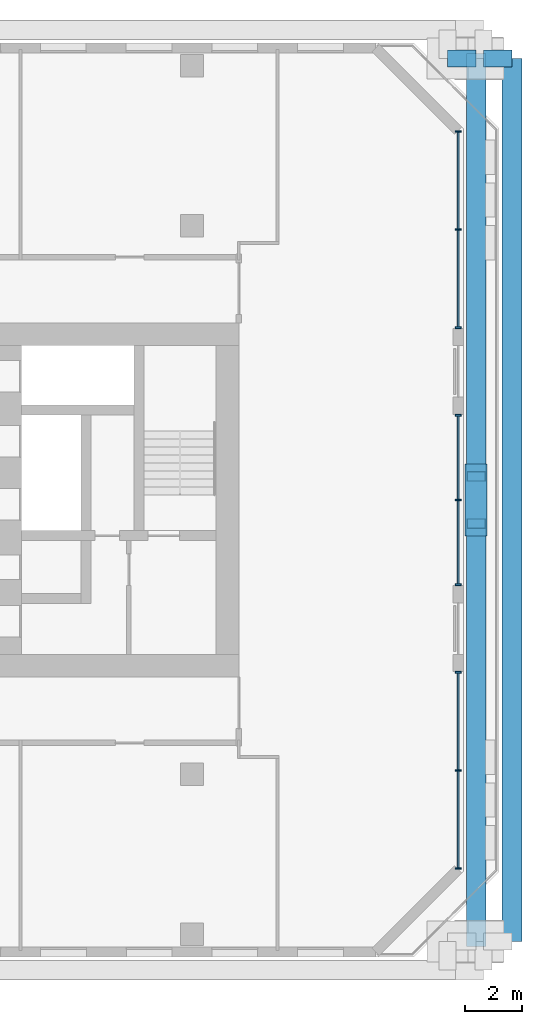
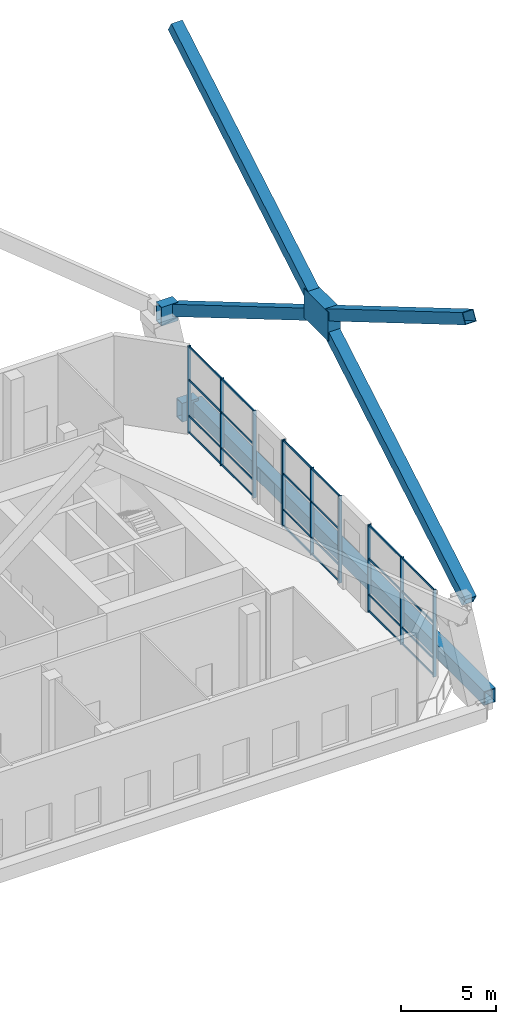
# One storey, part 6 of 20: 38 members, 3 beams, 3 elements without a shape of their own.
"""IFC4 building model written with IfcOpenShell, lengths in metres."""

from ifc_helpers import new_model, si_unit, direction, frame, origin, origin_2d, place, context, subcontext, project, spatial, rectangle, hollow_rectangle, extrude, material, material_profile, profile_set, type_object, element, aggregate, save


model = new_model("IFC4")

# Units and contexts
model_context = context("Model", 3, precision=1e-05, world=origin(), true_north=direction((0.0, 1.0)))
body_context = subcontext(model_context, "Body", "Model", "MODEL_VIEW")
ifc_project = project(units=[si_unit("LENGTHUNIT", "METRE"), si_unit("AREAUNIT", "SQUARE_METRE"), si_unit("VOLUMEUNIT", "CUBIC_METRE"), si_unit("PLANEANGLEUNIT", "RADIAN"), si_unit("MASSUNIT", "GRAM", prefix="KILO")], contexts=[model_context])

# Site, building, storey
site_placement = place(None, origin())
site = spatial("IfcSite", under=ifc_project, at=site_placement, CompositionType="ELEMENT")
building_placement = place(site_placement, origin())
building = spatial("IfcBuilding", under=site, at=building_placement, Name="Tuart Gate Housing", CompositionType="ELEMENT")
storey_placement = place(building_placement, frame((0.0, 0.0, 38.10009765625)))
storey = spatial("IfcBuildingStorey", under=building, at=storey_placement, Name="L10", CompositionType="ELEMENT", Elevation=38.10009765625)

# Member
ifc_material_1 = material(Name="Steel Grade 350", Category="steel")
ifc_material_profile_1 = material_profile(ifc_material_1, rectangle(XDim=2.537109375, YDim=1.864013671875, at=origin_2d()), Name="Brace node plate 2537 x 1864")
ifc_profile_set_1 = profile_set([ifc_material_profile_1], Name="Steel Grade 350")
member_type_1 = type_object("IfcMemberType", Name="Brace node plate 2537 x 1864", PredefinedType="PLATE", material=ifc_profile_set_1)
member_1_placement = place(storey_placement, frame((176.56494140625, 70.0, 15.2998046875), z_axis=(1.0, 0.0, 0.0), x_axis=(0.0, 1.0, 0.0)))
element("IfcMember", 1, at=member_1_placement, inside=storey, type_object=member_type_1, Name="Brace node B zone 2 east", PredefinedType="PLATE", context=body_context, shape_type="SweptSolid", body=[
    extrude(rectangle(XDim=2.537109375, YDim=1.864013671875, at=origin_2d()), origin(), (0.0, 0.0, 1.0), 0.77001953125),
])

# Beams
ifc_material_2 = material(Name="Steel Grade 350", Category="steel")
ifc_material_profile_2 = material_profile(ifc_material_2, hollow_rectangle(XDim=0.60009765625, YDim=1.199951171875, WallThickness=0.0400390625, at=origin_2d()), Name="BOX 1200x600x40")
ifc_profile_set_2 = profile_set([ifc_material_profile_2], Name="Steel Grade 350")
beam_type_1 = type_object("IfcBeamType", Name="Brace shoe BOX 1200x600x40", PredefinedType="BEAM", material=ifc_profile_set_2)
for number, where, z_axis, x_axis, name in (
    (2, (177.199951171875, 85.449951171875, -0.400146484375), (1.0, 0.0, 0.0), (0.0, 1.0, 0.0), "Mega tie beam B node 1 east shoe 1 L10"),
    (3, (175.949951171875, 85.449951171875, 6.199951171875), (1.0, 0.0, 0.0), (0.0, 1.0, 0.0), "Mega brace shoe B zone 2 east cross 2"),
):
    element("IfcBeam", number, at=place(storey_placement, frame(where, z_axis=z_axis, x_axis=x_axis)), inside=storey, type_object=beam_type_1, Name=name, PredefinedType="BEAM", context=body_context, shape_type="SweptSolid", body=[
        extrude(hollow_rectangle(XDim=0.60009765625, YDim=1.199951171875, WallThickness=0.0400390625, at=origin_2d()), origin(), (0.0, 0.0, 1.0), 1.0),
    ])

# Members
ifc_material_3 = material(Name="Steel Grade 350", Category="steel")
ifc_material_profile_3 = material_profile(ifc_material_3, hollow_rectangle(XDim=0.679931640625, YDim=0.679931640625, WallThickness=0.033935546875, at=origin_2d()), Name="BOX 680x680x34")
ifc_profile_set_3 = profile_set([ifc_material_profile_3], Name="Steel Grade 350")
member_type_2 = type_object("IfcMemberType", Name="Mega brace BOX 680x680x34", PredefinedType="BRACE", material=ifc_profile_set_3)
for number, where, z_axis, x_axis, name in (
    (4, (176.949951171875, 54.550048828125, 6.199951171875), (0.0, 0.861644676374, 0.507512021214), (-1.0, 0.0, 0.0), "Mega brace B zone 2 east cross 1 a"),
    (5, (176.949951171875, 70.818603515625, 15.781982421875), (0.0, 0.861644676374, 0.507512021214), (-1.0, 0.0, 0.0), "Mega brace B zone 2 east cross 1 b"),
    (6, (176.949951171875, 85.449951171875, 6.199951171875), (0.0, -0.861644676374, 0.507512021214), (1.0, 0.0, 0.0), "Mega brace B zone 2 east cross 2 a"),
    (7, (176.949951171875, 69.181396484375, 15.781982421875), (0.0, -0.861644676374, 0.507512021214), (1.0, 0.0, 0.0), "Mega brace B zone 2 east cross 2 b"),
):
    element("IfcMember", number, at=place(storey_placement, frame(where, z_axis=z_axis, x_axis=x_axis)), inside=storey, type_object=member_type_2, Name=name, PredefinedType="BRACE", context=body_context, shape_type="SweptSolid", body=[
        extrude(hollow_rectangle(XDim=0.679931640625, YDim=0.679931640625, WallThickness=0.033935546875, at=origin_2d()), origin(), (0.0, 0.0, 1.0), 16.980712890625),
    ])

# Curtain wall, members
ifc_material_4 = material(Name="Aluminium and clear glass", Category="aluminium")
curtain_wall_type = type_object("IfcCurtainWallType", Name="Sky garden front glazing", PredefinedType="USERDEFINED", material=ifc_material_4)
curtain_wall_1_placement = place(storey_placement, origin())
curtain_wall_1 = element("IfcCurtainWall", 8, at=curtain_wall_1_placement, inside=storey, type_object=curtain_wall_type, Name="Sky garden front glazing B-E L10", ObjectType="SKY GARDEN FRONT GLAZING", PredefinedType="USERDEFINED")
ifc_material_5 = material(Name="Anodised aluminium", Category="aluminium")
ifc_material_profile_4 = material_profile(ifc_material_5, rectangle(XDim=0.06005859375, YDim=0.199951171875, at=origin_2d()), Name="60x200")
ifc_profile_set_4 = profile_set([ifc_material_profile_4], Name="Anodised aluminium")
member_type_3 = type_object("IfcMemberType", Name="Mullion 60 x 200", PredefinedType="MULLION", material=ifc_profile_set_4)
member_2_placement = place(storey_placement, frame((176.320068359375, 57.1044921875, 0.0), z_axis=(0.0, 0.0, 1.0), x_axis=(0.0, 1.0, 0.0)))
member_2 = element("IfcMember", 9, at=member_2_placement, type_object=member_type_3, Name="CW4 mullion 1", PredefinedType="MULLION", context=body_context, shape_type="SweptSolid", body=[
    extrude(rectangle(XDim=0.06005859375, YDim=0.199951171875, at=origin_2d()), origin(), (0.0, 0.0, 1.0), 5.599853515625),
])
member_3_placement = place(storey_placement, frame((176.320068359375, 60.537353515625, 0.0), z_axis=(0.0, 0.0, 1.0), x_axis=(0.0, 1.0, 0.0)))
member_3 = element("IfcMember", 10, at=member_3_placement, type_object=member_type_3, Name="CW4 mullion 2", PredefinedType="MULLION", context=body_context, shape_type="SweptSolid", body=[
    extrude(rectangle(XDim=0.06005859375, YDim=0.199951171875, at=origin_2d()), origin(), (0.0, 0.0, 1.0), 5.599853515625),
])
member_4_placement = place(storey_placement, frame((176.320068359375, 63.969970703125, 0.0), z_axis=(0.0, 0.0, 1.0), x_axis=(0.0, 1.0, 0.0)))
member_4 = element("IfcMember", 11, at=member_4_placement, type_object=member_type_3, Name="CW4 mullion 3", PredefinedType="MULLION", context=body_context, shape_type="SweptSolid", body=[
    extrude(rectangle(XDim=0.06005859375, YDim=0.199951171875, at=origin_2d()), origin(), (0.0, 0.0, 1.0), 5.599853515625),
])

curtain_wall_2_placement = place(storey_placement, origin())
curtain_wall_2 = element("IfcCurtainWall", 12, at=curtain_wall_2_placement, inside=storey, type_object=curtain_wall_type, Name="Sky garden front glazing B-E L10", ObjectType="SKY GARDEN FRONT GLAZING", PredefinedType="USERDEFINED")
member_5_placement = place(storey_placement, frame((176.320068359375, 67.030029296875, 0.0), z_axis=(0.0, 0.0, 1.0), x_axis=(0.0, 1.0, 0.0)))
member_5 = element("IfcMember", 13, at=member_5_placement, type_object=member_type_3, Name="CW4 mullion 1", PredefinedType="MULLION", context=body_context, shape_type="SweptSolid", body=[
    extrude(rectangle(XDim=0.06005859375, YDim=0.199951171875, at=origin_2d()), origin(), (0.0, 0.0, 1.0), 5.599853515625),
])
member_6_placement = place(storey_placement, frame((176.320068359375, 70.0, 0.0), z_axis=(0.0, 0.0, 1.0), x_axis=(0.0, 1.0, 0.0)))
member_6 = element("IfcMember", 14, at=member_6_placement, type_object=member_type_3, Name="CW4 mullion 2", PredefinedType="MULLION", context=body_context, shape_type="SweptSolid", body=[
    extrude(rectangle(XDim=0.06005859375, YDim=0.199951171875, at=origin_2d()), origin(), (0.0, 0.0, 1.0), 5.599853515625),
])
member_7_placement = place(storey_placement, frame((176.320068359375, 72.969970703125, 0.0), z_axis=(0.0, 0.0, 1.0), x_axis=(0.0, 1.0, 0.0)))
member_7 = element("IfcMember", 15, at=member_7_placement, type_object=member_type_3, Name="CW4 mullion 3", PredefinedType="MULLION", context=body_context, shape_type="SweptSolid", body=[
    extrude(rectangle(XDim=0.06005859375, YDim=0.199951171875, at=origin_2d()), origin(), (0.0, 0.0, 1.0), 5.599853515625),
])

curtain_wall_3_placement = place(storey_placement, origin())
curtain_wall_3 = element("IfcCurtainWall", 16, at=curtain_wall_3_placement, inside=storey, type_object=curtain_wall_type, Name="Sky garden front glazing B-E L10", ObjectType="SKY GARDEN FRONT GLAZING", PredefinedType="USERDEFINED")
member_8_placement = place(storey_placement, frame((176.320068359375, 76.030029296875, 0.0), z_axis=(0.0, 0.0, 1.0), x_axis=(0.0, 1.0, 0.0)))
member_8 = element("IfcMember", 17, at=member_8_placement, type_object=member_type_3, Name="CW4 mullion 1", PredefinedType="MULLION", context=body_context, shape_type="SweptSolid", body=[
    extrude(rectangle(XDim=0.06005859375, YDim=0.199951171875, at=origin_2d()), origin(), (0.0, 0.0, 1.0), 5.599853515625),
])
member_9_placement = place(storey_placement, frame((176.320068359375, 79.462646484375, 0.0), z_axis=(0.0, 0.0, 1.0), x_axis=(0.0, 1.0, 0.0)))
member_9 = element("IfcMember", 18, at=member_9_placement, type_object=member_type_3, Name="CW4 mullion 2", PredefinedType="MULLION", context=body_context, shape_type="SweptSolid", body=[
    extrude(rectangle(XDim=0.06005859375, YDim=0.199951171875, at=origin_2d()), origin(), (0.0, 0.0, 1.0), 5.599853515625),
])
member_10_placement = place(storey_placement, frame((176.320068359375, 82.8955078125, 0.0), z_axis=(0.0, 0.0, 1.0), x_axis=(0.0, 1.0, 0.0)))
member_10 = element("IfcMember", 19, at=member_10_placement, type_object=member_type_3, Name="CW4 mullion 3", PredefinedType="MULLION", context=body_context, shape_type="SweptSolid", body=[
    extrude(rectangle(XDim=0.06005859375, YDim=0.199951171875, at=origin_2d()), origin(), (0.0, 0.0, 1.0), 5.599853515625),
])

# Beam
ifc_material_6 = material(Name="Steel Grade 350", Category="steel")
ifc_material_profile_5 = material_profile(ifc_material_6, hollow_rectangle(XDim=0.699951171875, YDim=0.89990234375, WallThickness=0.0400390625, at=origin_2d()), Name="BOX 900x700x40")
ifc_profile_set_5 = profile_set([ifc_material_profile_5], Name="Steel Grade 350")
beam_type_2 = type_object("IfcBeamType", Name="Tie beam BOX 900x700x40", PredefinedType="BEAM", material=ifc_profile_set_5)
beam_placement = place(storey_placement, frame((178.199951171875, 54.550048828125, -0.400146484375), z_axis=(0.0, 1.0, 0.0), x_axis=(-1.0, 0.0, 0.0)))
element("IfcBeam", 20, at=beam_placement, inside=storey, type_object=beam_type_2, Name="Mega tie beam B node 1 east L10", PredefinedType="BEAM", context=body_context, shape_type="SweptSolid", body=[
    extrude(hollow_rectangle(XDim=0.699951171875, YDim=0.89990234375, WallThickness=0.0400390625, at=origin_2d()), origin(), (0.0, 0.0, 1.0), 30.89990234375),
])

# Member
ifc_material_7 = material(Name="Anodised aluminium", Category="aluminium")
ifc_material_profile_6 = material_profile(ifc_material_7, rectangle(XDim=0.06005859375, YDim=0.1201171875, at=origin_2d()), Name="60x120")
ifc_profile_set_6 = profile_set([ifc_material_profile_6], Name="Anodised aluminium")
member_type_4 = type_object("IfcMemberType", Name="Transom 60 x 120", PredefinedType="USERDEFINED", material=ifc_profile_set_6)
member_11_placement = place(storey_placement, frame((176.320068359375, 57.134521484375, 0.059814453125), z_axis=(0.0, 1.0, 0.0), x_axis=(-1.0, 0.0, 0.0)))
member_11 = element("IfcMember", 21, at=member_11_placement, type_object=member_type_4, Name="CW4 transom 1.1", ObjectType="TRANSOM", PredefinedType="USERDEFINED", context=body_context, shape_type="SweptSolid", body=[
    extrude(rectangle(XDim=0.06005859375, YDim=0.1201171875, at=origin_2d()), origin(), (0.0, 0.0, 1.0), 3.372802734375),
])

member_12_placement = place(storey_placement, frame((176.320068359375, 57.134521484375, 1.099853515625), z_axis=(0.0, 1.0, 0.0), x_axis=(-1.0, 0.0, 0.0)))
member_12 = element("IfcMember", 22, at=member_12_placement, type_object=member_type_4, Name="CW4 transom 1.2", ObjectType="TRANSOM", PredefinedType="USERDEFINED", context=body_context, shape_type="SweptSolid", body=[
    extrude(rectangle(XDim=0.06005859375, YDim=0.1201171875, at=origin_2d()), origin(), (0.0, 0.0, 1.0), 3.372802734375),
])

member_13_placement = place(storey_placement, frame((176.320068359375, 57.134521484375, 3.39990234375), z_axis=(0.0, 1.0, 0.0), x_axis=(-1.0, 0.0, 0.0)))
member_13 = element("IfcMember", 23, at=member_13_placement, type_object=member_type_4, Name="CW4 transom 1.3", ObjectType="TRANSOM", PredefinedType="USERDEFINED", context=body_context, shape_type="SweptSolid", body=[
    extrude(rectangle(XDim=0.06005859375, YDim=0.1201171875, at=origin_2d()), origin(), (0.0, 0.0, 1.0), 3.372802734375),
])

member_14_placement = place(storey_placement, frame((176.320068359375, 57.134521484375, 5.539794921875), z_axis=(0.0, 1.0, 0.0), x_axis=(-1.0, 0.0, 0.0)))
member_14 = element("IfcMember", 24, at=member_14_placement, type_object=member_type_4, Name="CW4 transom 1.4", ObjectType="TRANSOM", PredefinedType="USERDEFINED", context=body_context, shape_type="SweptSolid", body=[
    extrude(rectangle(XDim=0.06005859375, YDim=0.1201171875, at=origin_2d()), origin(), (0.0, 0.0, 1.0), 3.372802734375),
])

member_15_placement = place(storey_placement, frame((176.320068359375, 60.5673828125, 0.059814453125), z_axis=(0.0, 1.0, 0.0), x_axis=(-1.0, 0.0, 0.0)))
member_15 = element("IfcMember", 25, at=member_15_placement, type_object=member_type_4, Name="CW4 transom 2.1", ObjectType="TRANSOM", PredefinedType="USERDEFINED", context=body_context, shape_type="SweptSolid", body=[
    extrude(rectangle(XDim=0.06005859375, YDim=0.1201171875, at=origin_2d()), origin(), (0.0, 0.0, 1.0), 3.37255859375),
])

member_16_placement = place(storey_placement, frame((176.320068359375, 60.5673828125, 1.099853515625), z_axis=(0.0, 1.0, 0.0), x_axis=(-1.0, 0.0, 0.0)))
member_16 = element("IfcMember", 26, at=member_16_placement, type_object=member_type_4, Name="CW4 transom 2.2", ObjectType="TRANSOM", PredefinedType="USERDEFINED", context=body_context, shape_type="SweptSolid", body=[
    extrude(rectangle(XDim=0.06005859375, YDim=0.1201171875, at=origin_2d()), origin(), (0.0, 0.0, 1.0), 3.37255859375),
])

member_17_placement = place(storey_placement, frame((176.320068359375, 60.5673828125, 3.39990234375), z_axis=(0.0, 1.0, 0.0), x_axis=(-1.0, 0.0, 0.0)))
member_17 = element("IfcMember", 27, at=member_17_placement, type_object=member_type_4, Name="CW4 transom 2.3", ObjectType="TRANSOM", PredefinedType="USERDEFINED", context=body_context, shape_type="SweptSolid", body=[
    extrude(rectangle(XDim=0.06005859375, YDim=0.1201171875, at=origin_2d()), origin(), (0.0, 0.0, 1.0), 3.37255859375),
])

member_18_placement = place(storey_placement, frame((176.320068359375, 60.5673828125, 5.539794921875), z_axis=(0.0, 1.0, 0.0), x_axis=(-1.0, 0.0, 0.0)))
member_18 = element("IfcMember", 28, at=member_18_placement, type_object=member_type_4, Name="CW4 transom 2.4", ObjectType="TRANSOM", PredefinedType="USERDEFINED", context=body_context, shape_type="SweptSolid", body=[
    extrude(rectangle(XDim=0.06005859375, YDim=0.1201171875, at=origin_2d()), origin(), (0.0, 0.0, 1.0), 3.37255859375),
])

aggregate(curtain_wall_1, [member_2, member_3, member_4, member_11, member_12, member_13, member_14, member_15, member_16, member_17, member_18])

member_19_placement = place(storey_placement, frame((176.320068359375, 67.06005859375, 0.059814453125), z_axis=(0.0, 1.0, 0.0), x_axis=(-1.0, 0.0, 0.0)))
member_19 = element("IfcMember", 29, at=member_19_placement, type_object=member_type_4, Name="CW4 transom 1.1", ObjectType="TRANSOM", PredefinedType="USERDEFINED", context=body_context, shape_type="SweptSolid", body=[
    extrude(rectangle(XDim=0.06005859375, YDim=0.1201171875, at=origin_2d()), origin(), (0.0, 0.0, 1.0), 2.909912109375),
])

member_20_placement = place(storey_placement, frame((176.320068359375, 67.06005859375, 1.099853515625), z_axis=(0.0, 1.0, 0.0), x_axis=(-1.0, 0.0, 0.0)))
member_20 = element("IfcMember", 30, at=member_20_placement, type_object=member_type_4, Name="CW4 transom 1.2", ObjectType="TRANSOM", PredefinedType="USERDEFINED", context=body_context, shape_type="SweptSolid", body=[
    extrude(rectangle(XDim=0.06005859375, YDim=0.1201171875, at=origin_2d()), origin(), (0.0, 0.0, 1.0), 2.909912109375),
])

member_21_placement = place(storey_placement, frame((176.320068359375, 67.06005859375, 3.39990234375), z_axis=(0.0, 1.0, 0.0), x_axis=(-1.0, 0.0, 0.0)))
member_21 = element("IfcMember", 31, at=member_21_placement, type_object=member_type_4, Name="CW4 transom 1.3", ObjectType="TRANSOM", PredefinedType="USERDEFINED", context=body_context, shape_type="SweptSolid", body=[
    extrude(rectangle(XDim=0.06005859375, YDim=0.1201171875, at=origin_2d()), origin(), (0.0, 0.0, 1.0), 2.909912109375),
])

member_22_placement = place(storey_placement, frame((176.320068359375, 67.06005859375, 5.539794921875), z_axis=(0.0, 1.0, 0.0), x_axis=(-1.0, 0.0, 0.0)))
member_22 = element("IfcMember", 32, at=member_22_placement, type_object=member_type_4, Name="CW4 transom 1.4", ObjectType="TRANSOM", PredefinedType="USERDEFINED", context=body_context, shape_type="SweptSolid", body=[
    extrude(rectangle(XDim=0.06005859375, YDim=0.1201171875, at=origin_2d()), origin(), (0.0, 0.0, 1.0), 2.909912109375),
])

member_23_placement = place(storey_placement, frame((176.320068359375, 70.030029296875, 0.059814453125), z_axis=(0.0, 1.0, 0.0), x_axis=(-1.0, 0.0, 0.0)))
member_23 = element("IfcMember", 33, at=member_23_placement, type_object=member_type_4, Name="CW4 transom 2.1", ObjectType="TRANSOM", PredefinedType="USERDEFINED", context=body_context, shape_type="SweptSolid", body=[
    extrude(rectangle(XDim=0.06005859375, YDim=0.1201171875, at=origin_2d()), origin(), (0.0, 0.0, 1.0), 2.909912109375),
])

member_24_placement = place(storey_placement, frame((176.320068359375, 70.030029296875, 1.099853515625), z_axis=(0.0, 1.0, 0.0), x_axis=(-1.0, 0.0, 0.0)))
member_24 = element("IfcMember", 34, at=member_24_placement, type_object=member_type_4, Name="CW4 transom 2.2", ObjectType="TRANSOM", PredefinedType="USERDEFINED", context=body_context, shape_type="SweptSolid", body=[
    extrude(rectangle(XDim=0.06005859375, YDim=0.1201171875, at=origin_2d()), origin(), (0.0, 0.0, 1.0), 2.909912109375),
])

member_25_placement = place(storey_placement, frame((176.320068359375, 70.030029296875, 3.39990234375), z_axis=(0.0, 1.0, 0.0), x_axis=(-1.0, 0.0, 0.0)))
member_25 = element("IfcMember", 35, at=member_25_placement, type_object=member_type_4, Name="CW4 transom 2.3", ObjectType="TRANSOM", PredefinedType="USERDEFINED", context=body_context, shape_type="SweptSolid", body=[
    extrude(rectangle(XDim=0.06005859375, YDim=0.1201171875, at=origin_2d()), origin(), (0.0, 0.0, 1.0), 2.909912109375),
])

member_26_placement = place(storey_placement, frame((176.320068359375, 70.030029296875, 5.539794921875), z_axis=(0.0, 1.0, 0.0), x_axis=(-1.0, 0.0, 0.0)))
member_26 = element("IfcMember", 36, at=member_26_placement, type_object=member_type_4, Name="CW4 transom 2.4", ObjectType="TRANSOM", PredefinedType="USERDEFINED", context=body_context, shape_type="SweptSolid", body=[
    extrude(rectangle(XDim=0.06005859375, YDim=0.1201171875, at=origin_2d()), origin(), (0.0, 0.0, 1.0), 2.909912109375),
])

aggregate(curtain_wall_2, [member_5, member_6, member_7, member_19, member_20, member_21, member_22, member_23, member_24, member_25, member_26])

member_27_placement = place(storey_placement, frame((176.320068359375, 76.06005859375, 0.059814453125), z_axis=(0.0, 1.0, 0.0), x_axis=(-1.0, 0.0, 0.0)))
member_27 = element("IfcMember", 37, at=member_27_placement, type_object=member_type_4, Name="CW4 transom 1.1", ObjectType="TRANSOM", PredefinedType="USERDEFINED", context=body_context, shape_type="SweptSolid", body=[
    extrude(rectangle(XDim=0.06005859375, YDim=0.1201171875, at=origin_2d()), origin(), (0.0, 0.0, 1.0), 3.372802734375),
])

member_28_placement = place(storey_placement, frame((176.320068359375, 76.06005859375, 1.099853515625), z_axis=(0.0, 1.0, 0.0), x_axis=(-1.0, 0.0, 0.0)))
member_28 = element("IfcMember", 38, at=member_28_placement, type_object=member_type_4, Name="CW4 transom 1.2", ObjectType="TRANSOM", PredefinedType="USERDEFINED", context=body_context, shape_type="SweptSolid", body=[
    extrude(rectangle(XDim=0.06005859375, YDim=0.1201171875, at=origin_2d()), origin(), (0.0, 0.0, 1.0), 3.372802734375),
])

member_29_placement = place(storey_placement, frame((176.320068359375, 76.06005859375, 3.39990234375), z_axis=(0.0, 1.0, 0.0), x_axis=(-1.0, 0.0, 0.0)))
member_29 = element("IfcMember", 39, at=member_29_placement, type_object=member_type_4, Name="CW4 transom 1.3", ObjectType="TRANSOM", PredefinedType="USERDEFINED", context=body_context, shape_type="SweptSolid", body=[
    extrude(rectangle(XDim=0.06005859375, YDim=0.1201171875, at=origin_2d()), origin(), (0.0, 0.0, 1.0), 3.372802734375),
])

member_30_placement = place(storey_placement, frame((176.320068359375, 76.06005859375, 5.539794921875), z_axis=(0.0, 1.0, 0.0), x_axis=(-1.0, 0.0, 0.0)))
member_30 = element("IfcMember", 40, at=member_30_placement, type_object=member_type_4, Name="CW4 transom 1.4", ObjectType="TRANSOM", PredefinedType="USERDEFINED", context=body_context, shape_type="SweptSolid", body=[
    extrude(rectangle(XDim=0.06005859375, YDim=0.1201171875, at=origin_2d()), origin(), (0.0, 0.0, 1.0), 3.372802734375),
])

member_31_placement = place(storey_placement, frame((176.320068359375, 79.49267578125, 0.059814453125), z_axis=(0.0, 1.0, 0.0), x_axis=(-1.0, 0.0, 0.0)))
member_31 = element("IfcMember", 41, at=member_31_placement, type_object=member_type_4, Name="CW4 transom 2.1", ObjectType="TRANSOM", PredefinedType="USERDEFINED", context=body_context, shape_type="SweptSolid", body=[
    extrude(rectangle(XDim=0.06005859375, YDim=0.1201171875, at=origin_2d()), origin(), (0.0, 0.0, 1.0), 3.372802734375),
])

member_32_placement = place(storey_placement, frame((176.320068359375, 79.49267578125, 1.099853515625), z_axis=(0.0, 1.0, 0.0), x_axis=(-1.0, 0.0, 0.0)))
member_32 = element("IfcMember", 42, at=member_32_placement, type_object=member_type_4, Name="CW4 transom 2.2", ObjectType="TRANSOM", PredefinedType="USERDEFINED", context=body_context, shape_type="SweptSolid", body=[
    extrude(rectangle(XDim=0.06005859375, YDim=0.1201171875, at=origin_2d()), origin(), (0.0, 0.0, 1.0), 3.372802734375),
])

member_33_placement = place(storey_placement, frame((176.320068359375, 79.49267578125, 3.39990234375), z_axis=(0.0, 1.0, 0.0), x_axis=(-1.0, 0.0, 0.0)))
member_33 = element("IfcMember", 43, at=member_33_placement, type_object=member_type_4, Name="CW4 transom 2.3", ObjectType="TRANSOM", PredefinedType="USERDEFINED", context=body_context, shape_type="SweptSolid", body=[
    extrude(rectangle(XDim=0.06005859375, YDim=0.1201171875, at=origin_2d()), origin(), (0.0, 0.0, 1.0), 3.372802734375),
])

member_34_placement = place(storey_placement, frame((176.320068359375, 79.49267578125, 5.539794921875), z_axis=(0.0, 1.0, 0.0), x_axis=(-1.0, 0.0, 0.0)))
member_34 = element("IfcMember", 44, at=member_34_placement, type_object=member_type_4, Name="CW4 transom 2.4", ObjectType="TRANSOM", PredefinedType="USERDEFINED", context=body_context, shape_type="SweptSolid", body=[
    extrude(rectangle(XDim=0.06005859375, YDim=0.1201171875, at=origin_2d()), origin(), (0.0, 0.0, 1.0), 3.372802734375),
])

aggregate(curtain_wall_3, [member_8, member_9, member_10, member_27, member_28, member_29, member_30, member_31, member_32, member_33, member_34])

save(model, "model.ifc")
